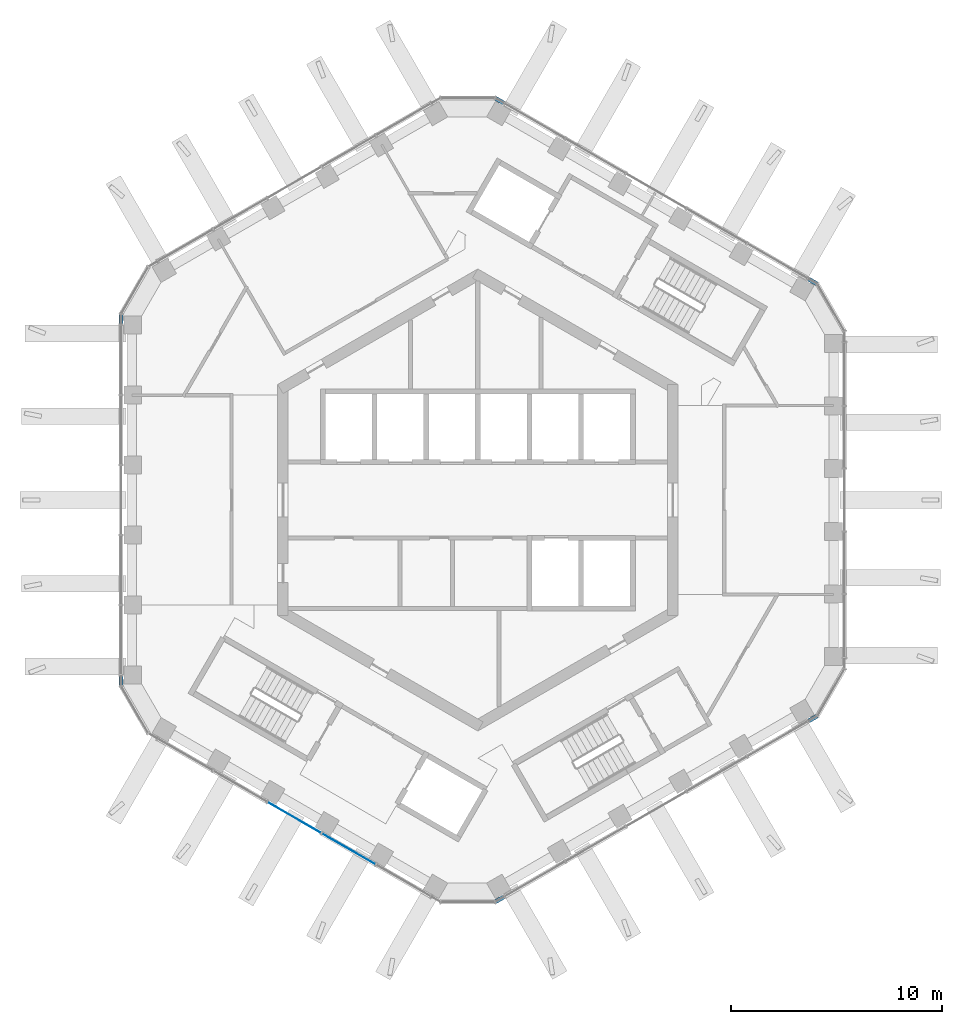
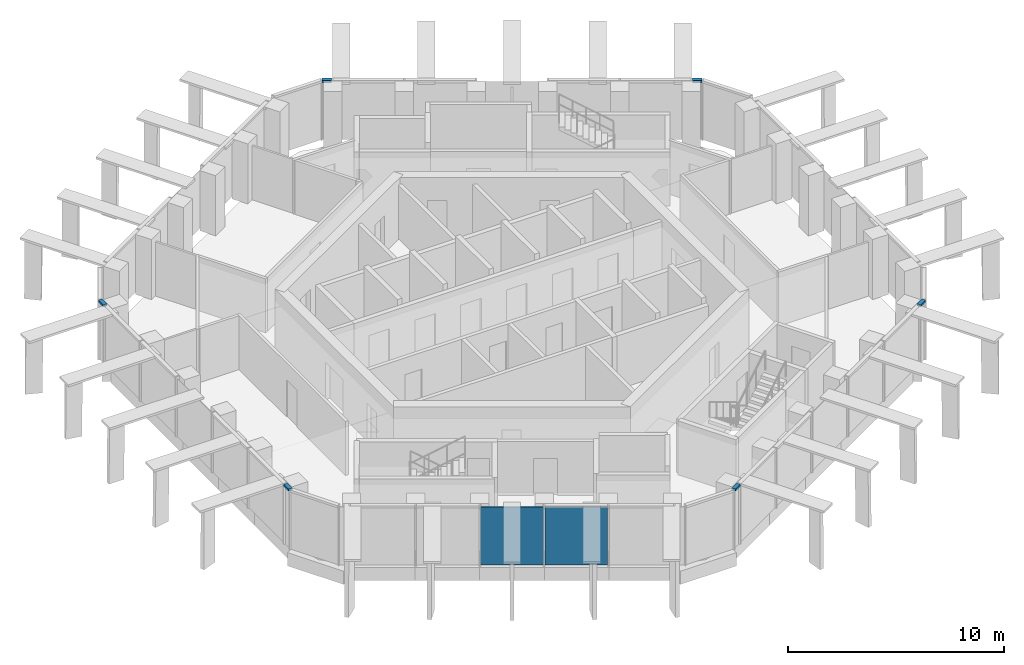
# One storey, part 6 of 17: 6 members, 2 plates, 7 elements without a shape of their own.
"""IFC4 building model written with IfcOpenShell, lengths in metres."""

from ifc_helpers import new_model, si_unit, direction, frame, origin, origin_2d, place, context, subcontext, project, spatial, rectangle, extrude, material, layer, layer_set, material_profile, profile_set, type_object, element, aggregate, save


model = new_model("IFC4")

# Units and contexts
model_context = context("Model", 3, precision=1e-05, world=origin(), true_north=direction((0.0, 1.0)))
body_context = subcontext(model_context, "Body", "Model", "MODEL_VIEW")
ifc_project = project(units=[si_unit("LENGTHUNIT", "METRE"), si_unit("AREAUNIT", "SQUARE_METRE"), si_unit("VOLUMEUNIT", "CUBIC_METRE"), si_unit("PLANEANGLEUNIT", "RADIAN"), si_unit("MASSUNIT", "GRAM", prefix="KILO")], contexts=[model_context])

# Site, building, storey
site_placement = place(None, origin())
site = spatial("IfcSite", under=ifc_project, at=site_placement, CompositionType="ELEMENT")
building_placement = place(site_placement, origin())
building = spatial("IfcBuilding", under=site, at=building_placement, Name="Ayvan Gate Tower", CompositionType="ELEMENT")
storey_placement = place(building_placement, frame((0.0, 0.0, 246.10009765625)))
storey = spatial("IfcBuildingStorey", under=building, at=storey_placement, Name="L66", CompositionType="ELEMENT", Elevation=246.10009765625)

# Curtain wall, member
ifc_material_1 = material(Name="Bronze anodised aluminium", Category="aluminium")
ifc_layer_1 = layer(ifc_material_1, 0.199951171875)
ifc_layer_set_1 = layer_set([ifc_layer_1], Name="Bronze anodised aluminium")
curtain_wall_type_1 = type_object("IfcCurtainWallType", Name="Stick curtain wall CW-6", PredefinedType="NOTDEFINED", material=ifc_layer_set_1)
curtain_wall_1_placement = place(storey_placement, origin())
curtain_wall_1 = element("IfcCurtainWall", 1, at=curtain_wall_1_placement, inside=storey, type_object=curtain_wall_type_1, Name="Stick curtain wall CW-6 L66", PredefinedType="NOTDEFINED")
ifc_material_profile = material_profile(ifc_material_1, rectangle(XDim=0.199951171875, YDim=0.1201171875, at=origin_2d()), Name="Stick curtain wall CW-6 transom 200 x 120")
ifc_profile_set = profile_set([ifc_material_profile], Name="Bronze anodised aluminium")
member_type = type_object("IfcMemberType", Name="Stick curtain wall CW-6 transom 200 x 120", PredefinedType="USERDEFINED", material=ifc_profile_set)
member_1_placement = place(storey_placement, frame((-16.937744140625, 8.811279296875, 3.33984375), z_axis=(0.0, -1.0, 0.0), x_axis=(1.0, 0.0, 0.0)))
member_1 = element("IfcMember", 2, at=member_1_placement, type_object=member_type, Name="CW-6 transom 2", ObjectType="TRANSOM", PredefinedType="USERDEFINED", context=body_context, shape_type="SweptSolid", body=[
    extrude(rectangle(XDim=0.199951171875, YDim=0.1201171875, at=origin_2d()), origin(), (0.0, 0.0, 1.0), 0.4501953125),
])
aggregate(curtain_wall_1, [member_1])

curtain_wall_2_placement = place(storey_placement, origin())
curtain_wall_2 = element("IfcCurtainWall", 3, at=curtain_wall_2_placement, inside=storey, type_object=curtain_wall_type_1, Name="Stick curtain wall CW-6 L66", PredefinedType="NOTDEFINED")
member_2_placement = place(storey_placement, frame((-16.937744140625, -8.361083984375, 3.33984375), z_axis=(0.0, -1.0, 0.0), x_axis=(1.0, 0.0, 0.0)))
member_2 = element("IfcMember", 4, at=member_2_placement, type_object=member_type, Name="CW-6 transom 1", ObjectType="TRANSOM", PredefinedType="USERDEFINED", context=body_context, shape_type="SweptSolid", body=[
    extrude(rectangle(XDim=0.199951171875, YDim=0.1201171875, at=origin_2d()), origin(), (0.0, 0.0, 1.0), 0.4501953125),
])
aggregate(curtain_wall_2, [member_2])

curtain_wall_3_placement = place(storey_placement, origin())
curtain_wall_3 = element("IfcCurtainWall", 5, at=curtain_wall_3_placement, inside=storey, type_object=curtain_wall_type_1, Name="Stick curtain wall CW-6 L66", PredefinedType="NOTDEFINED")
member_3_placement = place(storey_placement, frame((0.838134765625, -19.073974609375, 3.33984375), z_axis=(0.866131372301, 0.499816412211, 0.0), x_axis=(-0.499816412211, 0.866131372301, 0.0)))
member_3 = element("IfcMember", 6, at=member_3_placement, type_object=member_type, Name="CW-6 transom 2", ObjectType="TRANSOM", PredefinedType="USERDEFINED", context=body_context, shape_type="SweptSolid", body=[
    extrude(rectangle(XDim=0.199951171875, YDim=0.1201171875, at=origin_2d()), origin(), (0.0, 0.0, 1.0), 0.449951171875),
])
aggregate(curtain_wall_3, [member_3])

curtain_wall_4_placement = place(storey_placement, origin())
curtain_wall_4 = element("IfcCurtainWall", 7, at=curtain_wall_4_placement, inside=storey, type_object=curtain_wall_type_1, Name="Stick curtain wall CW-6 L66", PredefinedType="NOTDEFINED")
member_4_placement = place(storey_placement, frame((15.7099609375, -10.48779296875, 3.33984375), z_axis=(0.866131372301, 0.499816412211, 0.0), x_axis=(-0.499816412211, 0.866131372301, 0.0)))
member_4 = element("IfcMember", 8, at=member_4_placement, type_object=member_type, Name="CW-6 transom 1", ObjectType="TRANSOM", PredefinedType="USERDEFINED", context=body_context, shape_type="SweptSolid", body=[
    extrude(rectangle(XDim=0.199951171875, YDim=0.1201171875, at=origin_2d()), origin(), (0.0, 0.0, 1.0), 0.449951171875),
])
aggregate(curtain_wall_4, [member_4])

curtain_wall_5_placement = place(storey_placement, origin())
curtain_wall_5 = element("IfcCurtainWall", 9, at=curtain_wall_5_placement, inside=storey, type_object=curtain_wall_type_1, Name="Stick curtain wall CW-6 L66", PredefinedType="NOTDEFINED")
member_5_placement = place(storey_placement, frame((16.099609375, 10.262939453125, 3.33984375), z_axis=(-0.866131372301, 0.499816412211, 0.0), x_axis=(-0.499816412211, -0.866131372301, 0.0)))
member_5 = element("IfcMember", 10, at=member_5_placement, type_object=member_type, Name="CW-6 transom 2", ObjectType="TRANSOM", PredefinedType="USERDEFINED", context=body_context, shape_type="SweptSolid", body=[
    extrude(rectangle(XDim=0.199951171875, YDim=0.1201171875, at=origin_2d()), origin(), (0.0, 0.0, 1.0), 0.449951171875),
])
aggregate(curtain_wall_5, [member_5])

curtain_wall_6_placement = place(storey_placement, origin())
curtain_wall_6 = element("IfcCurtainWall", 11, at=curtain_wall_6_placement, inside=storey, type_object=curtain_wall_type_1, Name="Stick curtain wall CW-6 L66", PredefinedType="NOTDEFINED")
member_6_placement = place(storey_placement, frame((1.227783203125, 18.84912109375, 3.33984375), z_axis=(-0.866131372301, 0.499816412211, 0.0), x_axis=(-0.499816412211, -0.866131372301, 0.0)))
member_6 = element("IfcMember", 12, at=member_6_placement, type_object=member_type, Name="CW-6 transom 1", ObjectType="TRANSOM", PredefinedType="USERDEFINED", context=body_context, shape_type="SweptSolid", body=[
    extrude(rectangle(XDim=0.199951171875, YDim=0.1201171875, at=origin_2d()), origin(), (0.0, 0.0, 1.0), 0.449951171875),
])
aggregate(curtain_wall_6, [member_6])

# Curtain wall, plates
ifc_layer_2 = layer(ifc_material_1, 0.199951171875)
ifc_layer_set_2 = layer_set([ifc_layer_2], Name="Bronze anodised aluminium")
curtain_wall_type_2 = type_object("IfcCurtainWallType", Name="Stick curtain wall CW-2", PredefinedType="NOTDEFINED", material=ifc_layer_set_2)
curtain_wall_7_placement = place(storey_placement, origin())
curtain_wall_7 = element("IfcCurtainWall", 13, at=curtain_wall_7_placement, inside=storey, type_object=curtain_wall_type_2, Name="Stick curtain wall CW-2 L66", PredefinedType="NOTDEFINED")
ifc_material_2 = material(Name="Clear low-iron laminated glass", Category="glass")
ifc_layer_3 = layer(ifc_material_2, 0.028076171875)
ifc_layer_set_3 = layer_set([ifc_layer_3], Name="Clear low-iron laminated glass")
plate_type = type_object("IfcPlateType", Name="Stick curtain wall CW-2 glass panel", PredefinedType="CURTAIN_PANEL", material=ifc_layer_set_3)
plate_1_placement = place(storey_placement, frame((-8.7060546875, -15.079833984375, 0.0), z_axis=(0.0, 0.0, 1.0), x_axis=(0.866025403784, -0.5, 0.0)))
plate_1 = element("IfcPlate", 14, at=plate_1_placement, type_object=plate_type, Name="CW-2 glass panel 3", PredefinedType="CURTAIN_PANEL", context=body_context, shape_type="SweptSolid", body=[
    extrude(rectangle(XDim=2.904052734375, YDim=0.028076171875, at=origin_2d()), origin(), (0.0, 0.0, 1.0), 3.280029296875),
])
plate_2_placement = place(storey_placement, frame((-6.130615234375, -16.566650390625, 0.0), z_axis=(0.0, 0.0, 1.0), x_axis=(0.866025403784, -0.5, 0.0)))
plate_2 = element("IfcPlate", 15, at=plate_2_placement, type_object=plate_type, Name="CW-2 glass panel 4", PredefinedType="CURTAIN_PANEL", context=body_context, shape_type="SweptSolid", body=[
    extrude(rectangle(XDim=2.904052734375, YDim=0.028076171875, at=origin_2d()), origin(), (0.0, 0.0, 1.0), 3.280029296875),
])
aggregate(curtain_wall_7, [plate_1, plate_2])

save(model, "model.ifc")
